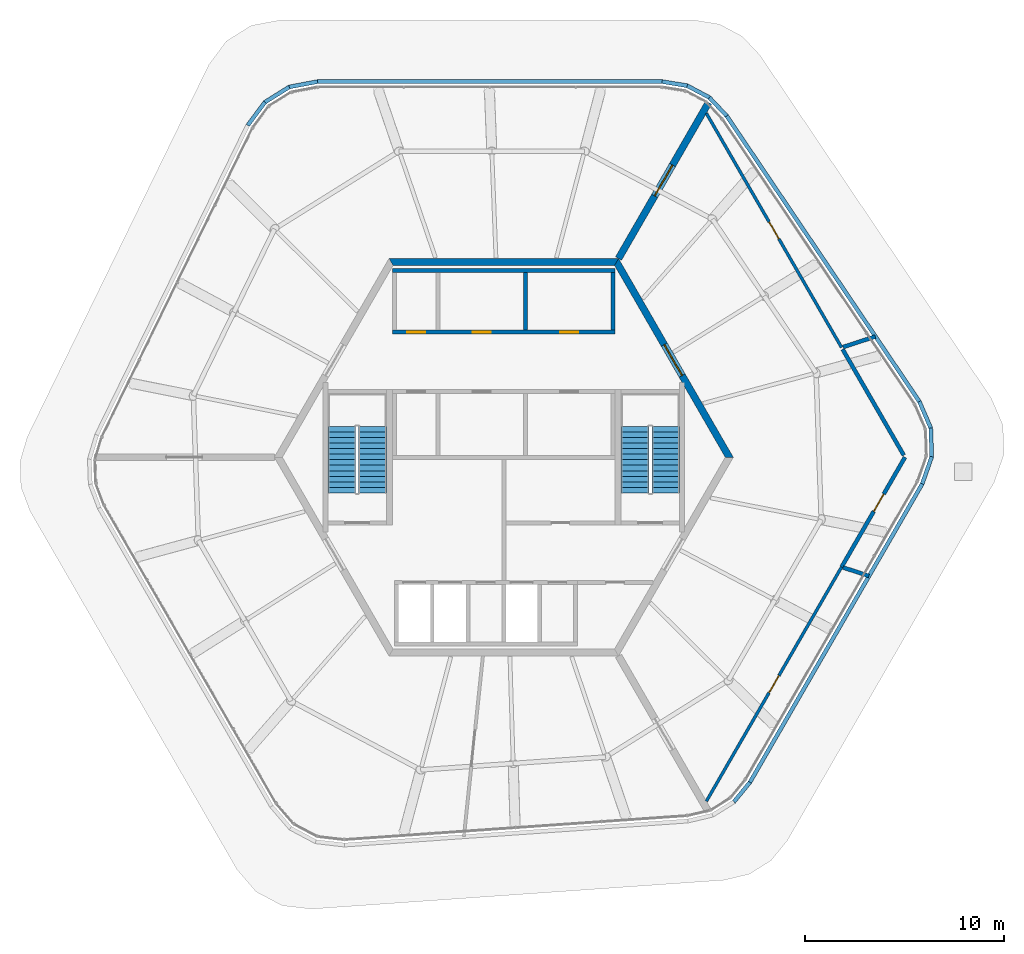
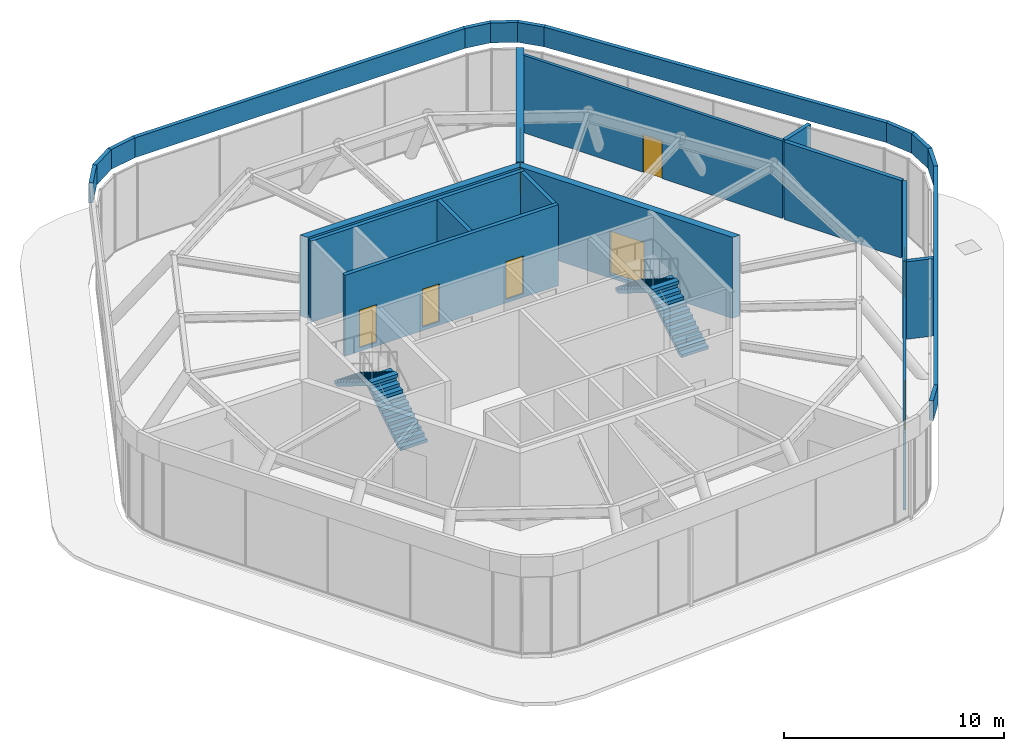
# One storey, part 11 of 12: 26 walls, 8 doors, 4 stair flights, 8 openings, 2 elements without a shape of their own.
"""IFC4 building model written with IfcOpenShell, lengths in metres."""

from ifc_helpers import new_model, si_unit, direction, frame, frame_2d, origin, place, context, subcontext, project, spatial, polyline, rectangle, outline, extrude, material, layer, layer_set, type_object, element, fill, aggregate, save


model = new_model("IFC4")

# Units and contexts
model_context = context("Model", 3, precision=1e-05, world=origin(), true_north=direction((0.0, 1.0)))
body_context = subcontext(model_context, "Body", "Model", "MODEL_VIEW")
ifc_project = project(units=[si_unit("LENGTHUNIT", "METRE"), si_unit("AREAUNIT", "SQUARE_METRE"), si_unit("VOLUMEUNIT", "CUBIC_METRE"), si_unit("PLANEANGLEUNIT", "RADIAN"), si_unit("MASSUNIT", "GRAM", prefix="KILO")], contexts=[model_context])

# Site, building, storey
site_placement = place(None, origin())
site = spatial("IfcSite", under=ifc_project, at=site_placement, CompositionType="ELEMENT")
building_placement = place(site_placement, origin())
building = spatial("IfcBuilding", under=site, at=building_placement, Name="Tarnside Tower", CompositionType="ELEMENT")
storey_placement = place(building_placement, frame((0.0, 0.0, 392.699951171875)))
storey = spatial("IfcBuildingStorey", under=building, at=storey_placement, Name="L93", CompositionType="ELEMENT", Elevation=392.699951171875)

# Wall, opening, door
ifc_material_1 = material(Name="Concrete C50/60", Category="concrete")
ifc_layer_1 = layer(ifc_material_1, 0.35009765625)
ifc_layer_set_1 = layer_set([ifc_layer_1], Name="Core wall Z4 350 C50/60")
wall_type_1 = type_object("IfcWallType", Name="Core wall Z4 350 C50/60", PredefinedType="SHEAR", material=ifc_layer_set_1)
wall_1_placement = place(storey_placement, frame((11.344970703125, 0.0, -0.199951171875), z_axis=(0.0, 0.0, 1.0), x_axis=(-0.499995046907, 0.866028263435, 0.0)))
wall_1 = element("IfcWall", 1, at=wall_1_placement, inside=storey, type_object=wall_type_1, Name="L93 core wall face 6", PredefinedType="SHEAR", context=body_context, shape_type="SweptSolid", body=[
    extrude(outline(polyline([(-0.10107421875, -0.175048828125), (11.44580078125, -0.175048828125), (11.24365234375, 0.175048828125), (0.10107421875, 0.175048828125), (-0.10107421875, -0.175048828125)])), origin(), (0.0, 0.0, 1.0), 4.5),
])
opening_1_placement = place(wall_1_placement, frame((4.74365234375, 0.0, 0.199951171875)))
opening_1 = element("IfcOpeningElement", 2, at=opening_1_placement, cuts=wall_1, Name="Opening CD-LOB", PredefinedType="OPENING", context=body_context, shape_type="SweptSolid", body=[
    extrude(rectangle(XDim=1.800048828125, YDim=2.39990234375, at=frame_2d((0.89990234375, 1.199951171875))), frame((0.0, 0.18505859375, 0.0), z_axis=(0.0, -1.0, 0.0), x_axis=(1.0, 0.0, 0.0)), (0.0, 0.0, 1.0), 0.3701171875),
])
ifc_material_2 = material(Name="Steel fire door", Category="steel")
door_type_1 = type_object("IfcDoorType", Name="Lobby double door FD30S 1800x2400", OperationType="NOTDEFINED", PredefinedType="DOOR", material=ifc_material_2)
door_1_placement = place(opening_1_placement, origin())
door_1 = element("IfcDoor", 3, at=door_1_placement, inside=storey, type_object=door_type_1, Name="L93 core door P2", OperationType="DOUBLE_DOOR_SINGLE_SWING", OverallHeight=2.39990234375, OverallWidth=1.800048828125, PredefinedType="DOOR", context=body_context, shape_type="SweptSolid", body=[
    extrude(rectangle(XDim=1.800048828125, YDim=2.39990234375, at=frame_2d((0.89990234375, 1.199951171875))), frame((0.0, 0.02490234375, 0.0), z_axis=(0.0, -1.0, 0.0), x_axis=(1.0, 0.0, 0.0)), (0.0, 0.0, 1.0), 0.050048828125),
])
fill(opening_1, door_1)

# Wall
wall_2_placement = place(storey_placement, frame((5.672607421875, 9.824951171875, -0.199951171875), z_axis=(0.0, 0.0, 1.0), x_axis=(-1.0, 0.0, 0.0)))
element("IfcWall", 4, at=wall_2_placement, inside=storey, type_object=wall_type_1, Name="L93 core wall face 1", PredefinedType="SHEAR", context=body_context, shape_type="SweptSolid", body=[
    extrude(outline(polyline([(-0.10107421875, -0.175048828125), (11.4462890625, -0.175048828125), (11.244140625, 0.175048828125), (0.10107421875, 0.175048828125), (-0.10107421875, -0.175048828125)])), origin(), (0.0, 0.0, 1.0), 4.5),
])

# Wall, opening, door
wall_3_placement = place(storey_placement, frame((5.7734375, 10.0, -0.199951171875), z_axis=(0.0, 0.0, 1.0), x_axis=(0.500006102154, 0.866021880676, 0.0)))
wall_3 = element("IfcWall", 5, at=wall_3_placement, inside=storey, type_object=wall_type_1, Name="L93 spine wall 1", PredefinedType="SHEAR", context=body_context, shape_type="SweptSolid", body=[
    extrude(rectangle(XDim=9.06494140625, YDim=0.35009765625, at=frame_2d((4.532470703125, 0.0))), origin(), (0.0, 0.0, 1.0), 4.5),
])
opening_2_placement = place(wall_3_placement, frame((3.63232421875, 0.0, 0.199951171875)))
opening_2 = element("IfcOpeningElement", 6, at=opening_2_placement, cuts=wall_3, Name="Opening CD-SPN", PredefinedType="OPENING", context=body_context, shape_type="SweptSolid", body=[
    extrude(rectangle(XDim=1.800048828125, YDim=2.39990234375, at=frame_2d((0.89990234375, 1.199951171875))), frame((0.0, 0.18505859375, 0.0), z_axis=(0.0, -1.0, 0.0), x_axis=(1.0, 0.0, 0.0)), (0.0, 0.0, 1.0), 0.3701171875),
])
door_type_2 = type_object("IfcDoorType", Name="Spine passage double door FD60 1800x2400", OperationType="NOTDEFINED", PredefinedType="DOOR", material=ifc_material_2)
door_2_placement = place(opening_2_placement, origin())
door_2 = element("IfcDoor", 7, at=door_2_placement, inside=storey, type_object=door_type_2, Name="L93 spine passage door 1", OperationType="DOUBLE_DOOR_SINGLE_SWING", OverallHeight=2.39990234375, OverallWidth=1.800048828125, PredefinedType="DOOR", context=body_context, shape_type="SweptSolid", body=[
    extrude(rectangle(XDim=1.800048828125, YDim=2.39990234375, at=frame_2d((0.89990234375, 1.199951171875))), frame((0.0, 0.02490234375, 0.0), z_axis=(0.0, -1.0, 0.0), x_axis=(1.0, 0.0, 0.0)), (0.0, 0.0, 1.0), 0.050048828125),
])
fill(opening_2, door_2)

# Wall, openings, doors
ifc_material_3 = material(Name="Concrete C40/50", Category="concrete")
ifc_layer_2 = layer(ifc_material_3, 0.199951171875)
ifc_layer_set_2 = layer_set([ifc_layer_2], Name="Lift shaft wall 200 C40/50")
wall_type_2 = type_object("IfcWallType", Name="Lift shaft wall 200 C40/50", PredefinedType="SHEAR", material=ifc_layer_set_2)
wall_4_placement = place(storey_placement, frame((-5.60009765625, 6.300048828125, -0.199951171875), z_axis=(0.0, 0.0, 1.0), x_axis=(1.0, 0.0, 0.0)))
wall_4 = element("IfcWall", 8, at=wall_4_placement, inside=storey, type_object=wall_type_2, Name="L93 lift shaft front wall R1", PredefinedType="SHEAR", context=body_context, shape_type="SweptSolid", body=[
    extrude(rectangle(XDim=11.2001953125, YDim=0.199951171875, at=frame_2d((5.60009765625, 0.0))), origin(), (0.0, 0.0, 1.0), 4.5),
])
opening_3_placement = place(wall_4_placement, frame((0.75, 0.0, 0.199951171875)))
opening_3 = element("IfcOpeningElement", 9, at=opening_3_placement, cuts=wall_4, Name="Opening CD-room", PredefinedType="OPENING", context=body_context, shape_type="SweptSolid", body=[
    extrude(rectangle(XDim=0.89990234375, YDim=2.10009765625, at=frame_2d((0.449951171875, 1.050048828125))), frame((0.0, 0.10986328125, 0.0), z_axis=(0.0, -1.0, 0.0), x_axis=(1.0, 0.0, 0.0)), (0.0, 0.0, 1.0), 0.219970703125),
])
opening_4_placement = place(wall_4_placement, frame((4.050048828125, 0.0, 0.199951171875)))
opening_4 = element("IfcOpeningElement", 10, at=opening_4_placement, cuts=wall_4, Name="Opening CD-room", PredefinedType="OPENING", context=body_context, shape_type="SweptSolid", body=[
    extrude(rectangle(XDim=0.89990234375, YDim=2.10009765625, at=frame_2d((0.449951171875, 1.050048828125))), frame((0.0, 0.10986328125, 0.0), z_axis=(0.0, -1.0, 0.0), x_axis=(1.0, 0.0, 0.0)), (0.0, 0.0, 1.0), 0.219970703125),
])
opening_5_placement = place(wall_4_placement, frame((8.449951171875, 0.0, 0.199951171875)))
opening_5 = element("IfcOpeningElement", 11, at=opening_5_placement, cuts=wall_4, Name="Opening CD-room", PredefinedType="OPENING", context=body_context, shape_type="SweptSolid", body=[
    extrude(rectangle(XDim=0.89990234375, YDim=2.10009765625, at=frame_2d((0.449951171875, 1.050048828125))), frame((0.0, 0.10986328125, 0.0), z_axis=(0.0, -1.0, 0.0), x_axis=(1.0, 0.0, 0.0)), (0.0, 0.0, 1.0), 0.219970703125),
])
door_type_3 = type_object("IfcDoorType", Name="Room door FD60 900x2100", OperationType="NOTDEFINED", PredefinedType="DOOR", material=ifc_material_2)
door_3_placement = place(opening_3_placement, origin())
door_3 = element("IfcDoor", 12, at=door_3_placement, inside=storey, type_object=door_type_3, Name="L93 core room door FC1", OperationType="SINGLE_SWING_LEFT", OverallHeight=2.10009765625, OverallWidth=0.89990234375, PredefinedType="DOOR", context=body_context, shape_type="SweptSolid", body=[
    extrude(rectangle(XDim=0.89990234375, YDim=2.10009765625, at=frame_2d((0.449951171875, 1.050048828125))), frame((0.0, 0.02490234375, 0.0), z_axis=(0.0, -1.0, 0.0), x_axis=(1.0, 0.0, 0.0)), (0.0, 0.0, 1.0), 0.050048828125),
])
fill(opening_3, door_3)
door_4_placement = place(opening_4_placement, origin())
door_4 = element("IfcDoor", 13, at=door_4_placement, inside=storey, type_object=door_type_3, Name="L93 core room door FC2", OperationType="SINGLE_SWING_LEFT", OverallHeight=2.10009765625, OverallWidth=0.89990234375, PredefinedType="DOOR", context=body_context, shape_type="SweptSolid", body=[
    extrude(rectangle(XDim=0.89990234375, YDim=2.10009765625, at=frame_2d((0.449951171875, 1.050048828125))), frame((0.0, 0.02490234375, 0.0), z_axis=(0.0, -1.0, 0.0), x_axis=(1.0, 0.0, 0.0)), (0.0, 0.0, 1.0), 0.050048828125),
])
fill(opening_4, door_4)
door_5_placement = place(opening_5_placement, origin())
door_5 = element("IfcDoor", 14, at=door_5_placement, inside=storey, type_object=door_type_3, Name="L93 core room door FC3", OperationType="SINGLE_SWING_LEFT", OverallHeight=2.10009765625, OverallWidth=0.89990234375, PredefinedType="DOOR", context=body_context, shape_type="SweptSolid", body=[
    extrude(rectangle(XDim=0.89990234375, YDim=2.10009765625, at=frame_2d((0.449951171875, 1.050048828125))), frame((0.0, 0.02490234375, 0.0), z_axis=(0.0, -1.0, 0.0), x_axis=(1.0, 0.0, 0.0)), (0.0, 0.0, 1.0), 0.050048828125),
])
fill(opening_5, door_5)

# Walls
wall_5_placement = place(storey_placement, frame((-5.60009765625, 9.39990234375, -0.199951171875), z_axis=(0.0, 0.0, 1.0), x_axis=(1.0, 0.0, 0.0)))
element("IfcWall", 15, at=wall_5_placement, inside=storey, type_object=wall_type_2, Name="L93 lift shaft back wall R1", PredefinedType="SHEAR", context=body_context, shape_type="SweptSolid", body=[
    extrude(rectangle(XDim=11.2001953125, YDim=0.199951171875, at=frame_2d((5.60009765625, 0.0))), origin(), (0.0, 0.0, 1.0), 4.5),
])
for number, where, z_axis, x_axis, name in (
    (16, (1.10009765625, 6.39990234375, -0.199951171875), (0.0, 0.0, 1.0), (0.0, 1.0, 0.0), "L93 lift shaft partition R14"),
    (17, (5.5, 6.39990234375, -0.199951171875), (0.0, 0.0, 1.0), (0.0, 1.0, 0.0), "L93 lift shaft partition R16"),
):
    element("IfcWall", number, at=place(storey_placement, frame(where, z_axis=z_axis, x_axis=x_axis)), inside=storey, type_object=wall_type_2, Name=name, PredefinedType="SHEAR", context=body_context, shape_type="SweptSolid", body=[
        extrude(rectangle(XDim=2.900146484375, YDim=0.199951171875, at=frame_2d((1.4501953125, 0.0))), origin(), (0.0, 0.0, 1.0), 4.5),
    ])
ifc_material_4 = material(Name="Concrete C35/45 precast", Category="concrete")
ifc_layer_3 = layer(ifc_material_4, 0.199951171875)
ifc_layer_set_3 = layer_set([ifc_layer_3], Name="Parapet 200 x 1100")
wall_type_3 = type_object("IfcWallType", Name="Parapet 200 x 1100", PredefinedType="PARAPET", material=ifc_layer_set_3)
wall_6_placement = place(storey_placement, frame((7.967529296875, 18.89990234375, 4.5), z_axis=(0.0, 0.0, 1.0), x_axis=(0.9867748983, -0.162096576412, 0.0)))
element("IfcWall", 18, at=wall_6_placement, inside=storey, type_object=wall_type_3, Name="Roof parapet 01", PredefinedType="PARAPET", context=body_context, shape_type="SweptSolid", body=[
    extrude(outline(polyline([(0.008056640625, -0.10009765625), (1.25634765625, -0.10009765625), (1.2890625, 0.10009765625), (-0.008056640625, 0.10009765625), (0.008056640625, -0.10009765625)])), origin(), (0.0, 0.0, 1.0), 1.10009765625),
])
wall_7_placement = place(storey_placement, frame((9.223388671875, 18.693603515625, 4.5), z_axis=(0.0, 0.0, 1.0), x_axis=(0.882950708751, -0.469465702598, 0.0)))
element("IfcWall", 19, at=wall_7_placement, inside=storey, type_object=wall_type_3, Name="Roof parapet 02", PredefinedType="PARAPET", context=body_context, shape_type="SweptSolid", body=[
    extrude(outline(polyline([(0.016357421875, -0.10009765625), (1.248291015625, -0.10009765625), (1.281005859375, 0.10009765625), (-0.016357421875, 0.10009765625), (0.016357421875, -0.10009765625)])), origin(), (0.0, 0.0, 1.0), 1.10009765625),
])
wall_8_placement = place(storey_placement, frame((10.340087890625, 18.099853515625, 4.5), z_axis=(0.0, 0.0, 1.0), x_axis=(0.686184039693, -0.727427978339, 0.0)))
element("IfcWall", 20, at=wall_8_placement, inside=storey, type_object=wall_type_3, Name="Roof parapet 03", PredefinedType="PARAPET", context=body_context, shape_type="SweptSolid", body=[
    extrude(outline(polyline([(0.016357421875, -0.10009765625), (1.2646484375, -0.10009765625), (1.28076171875, 0.10009765625), (-0.016357421875, 0.10009765625), (0.016357421875, -0.10009765625)])), origin(), (0.0, 0.0, 1.0), 1.10009765625),
])
wall_9_placement = place(storey_placement, frame((11.21337890625, 17.174072265625, 4.5), z_axis=(0.0, 0.0, 1.0), x_axis=(0.559200888718, -0.829032186382, 0.0)))
element("IfcWall", 21, at=wall_9_placement, inside=storey, type_object=wall_type_3, Name="Roof parapet 04", PredefinedType="PARAPET", context=body_context, shape_type="SweptSolid", body=[
    extrude(outline(polyline([(0.008056640625, -0.10009765625), (17.322021484375, -0.10009765625), (17.340576171875, 0.10009765625), (-0.008056640625, 0.10009765625), (0.008056640625, -0.10009765625)])), origin(), (0.0, 0.0, 1.0), 1.10009765625),
])
wall_10_placement = place(storey_placement, frame((20.905029296875, 2.805908203125, 4.5), z_axis=(0.0, 0.0, 1.0), x_axis=(0.396007748468, -0.918247168879, 0.0)))
element("IfcWall", 22, at=wall_10_placement, inside=storey, type_object=wall_type_3, Name="Roof parapet 05", PredefinedType="PARAPET", context=body_context, shape_type="SweptSolid", body=[
    extrude(outline(polyline([(0.00927734375, -0.10009765625), (1.43359375, -0.10009765625), (1.47119140625, 0.10009765625), (-0.00927734375, 0.10009765625), (0.00927734375, -0.10009765625)])), origin(), (0.0, 0.0, 1.0), 1.10009765625),
])
wall_11_placement = place(storey_placement, frame((21.480224609375, 1.47216796875, 4.5), z_axis=(0.0, 0.0, 1.0), x_axis=(0.034846799115, -0.999392665868, 0.0)))
element("IfcWall", 23, at=wall_11_placement, inside=storey, type_object=wall_type_3, Name="Roof parapet 06", PredefinedType="PARAPET", context=body_context, shape_type="SweptSolid", body=[
    extrude(outline(polyline([(0.018798828125, -0.10009765625), (1.424560546875, -0.10009765625), (1.462158203125, 0.10009765625), (-0.018798828125, 0.10009765625), (0.018798828125, -0.10009765625)])), origin(), (0.0, 0.0, 1.0), 1.10009765625),
])
wall_12_placement = place(storey_placement, frame((21.530517578125, 0.02978515625, 4.5), z_axis=(0.0, 0.0, 1.0), x_axis=(-0.330964304762, -0.943643274216, 0.0)))
element("IfcWall", 24, at=wall_12_placement, inside=storey, type_object=wall_type_3, Name="Roof parapet 07", PredefinedType="PARAPET", context=body_context, shape_type="SweptSolid", body=[
    extrude(outline(polyline([(0.018798828125, -0.10009765625), (1.443115234375, -0.10009765625), (1.461669921875, 0.10009765625), (-0.018798828125, 0.10009765625), (0.018798828125, -0.10009765625)])), origin(), (0.0, 0.0, 1.0), 1.10009765625),
])
wall_13_placement = place(storey_placement, frame((21.0498046875, -1.3408203125, 4.5), z_axis=(0.0, 0.0, 1.0), x_axis=(-0.500006974487, -0.866021377025, 0.0)))
element("IfcWall", 25, at=wall_13_placement, inside=storey, type_object=wall_type_3, Name="Roof parapet 08", PredefinedType="PARAPET", context=body_context, shape_type="SweptSolid", body=[
    extrude(outline(polyline([(0.00927734375, -0.10009765625), (17.3232421875, -0.10009765625), (17.33935546875, 0.10009765625), (-0.00927734375, 0.10009765625), (0.00927734375, -0.10009765625)])), origin(), (0.0, 0.0, 1.0), 1.10009765625),
])
wall_14_placement = place(storey_placement, frame((12.384033203125, -16.35009765625, 4.5), z_axis=(0.0, 0.0, 1.0), x_axis=(-0.633822610937, -0.773478440466, 0.0)))
element("IfcWall", 26, at=wall_14_placement, inside=storey, type_object=wall_type_3, Name="Roof parapet 09", PredefinedType="PARAPET", context=body_context, shape_type="SweptSolid", body=[
    extrude(outline(polyline([(0.008056640625, -0.10009765625), (1.25634765625, -0.10009765625), (1.2890625, 0.10009765625), (-0.008056640625, 0.10009765625), (0.008056640625, -0.10009765625)])), origin(), (0.0, 0.0, 1.0), 1.10009765625),
])
wall_15_placement = place(storey_placement, frame((-12.88232421875, 16.701171875, 4.5), z_axis=(0.0, 0.0, 1.0), x_axis=(0.597118923952, 0.802152722777, 0.0)))
element("IfcWall", 27, at=wall_15_placement, inside=storey, type_object=wall_type_3, Name="Roof parapet 21", PredefinedType="PARAPET", context=body_context, shape_type="SweptSolid", body=[
    extrude(outline(polyline([(0.00927734375, -0.10009765625), (1.433837890625, -0.10009765625), (1.471435546875, 0.10009765625), (-0.00927734375, 0.10009765625), (0.00927734375, -0.10009765625)])), origin(), (0.0, 0.0, 1.0), 1.10009765625),
])
wall_16_placement = place(storey_placement, frame((-12.014892578125, 17.866455078125, 4.5), z_axis=(0.0, 0.0, 1.0), x_axis=(0.84803632456, 0.529938102259, 0.0)))
element("IfcWall", 28, at=wall_16_placement, inside=storey, type_object=wall_type_3, Name="Roof parapet 22", PredefinedType="PARAPET", context=body_context, shape_type="SweptSolid", body=[
    extrude(outline(polyline([(0.018798828125, -0.10009765625), (1.424072265625, -0.10009765625), (1.461669921875, 0.10009765625), (-0.018798828125, 0.10009765625), (0.018798828125, -0.10009765625)])), origin(), (0.0, 0.0, 1.0), 1.10009765625),
])
wall_17_placement = place(storey_placement, frame((-10.791259765625, 18.631103515625, 4.5), z_axis=(0.0, 0.0, 1.0), x_axis=(0.982729187844, 0.185049570005, 0.0)))
element("IfcWall", 29, at=wall_17_placement, inside=storey, type_object=wall_type_3, Name="Roof parapet 23", PredefinedType="PARAPET", context=body_context, shape_type="SweptSolid", body=[
    extrude(outline(polyline([(0.018798828125, -0.10009765625), (1.443359375, -0.10009765625), (1.4619140625, 0.10009765625), (-0.018798828125, 0.10009765625), (0.018798828125, -0.10009765625)])), origin(), (0.0, 0.0, 1.0), 1.10009765625),
])
wall_18_placement = place(storey_placement, frame((-9.36376953125, 18.89990234375, 4.5), z_axis=(0.0, 0.0, 1.0), x_axis=(1.0, 0.0, 0.0)))
element("IfcWall", 30, at=wall_18_placement, inside=storey, type_object=wall_type_3, Name="Roof parapet 24", PredefinedType="PARAPET", context=body_context, shape_type="SweptSolid", body=[
    extrude(outline(polyline([(0.00927734375, -0.10009765625), (17.3232421875, -0.10009765625), (17.33935546875, 0.10009765625), (-0.00927734375, 0.10009765625), (0.00927734375, -0.10009765625)])), origin(), (0.0, 0.0, 1.0), 1.10009765625),
])

# Wall, opening, door
ifc_material_5 = material(Name="Gypsum board")
ifc_layer_4 = layer(ifc_material_5, 0.14990234375)
ifc_layer_set_4 = layer_set([ifc_layer_4], Name="Partition 150 gypsum board on metal stud")
wall_type_4 = type_object("IfcWallType", Name="Partition 150 gypsum board on metal stud", PredefinedType="PARTITIONING", material=ifc_layer_set_4)
wall_19_placement = place(storey_placement, frame((16.99609375, -5.52197265625, 0.0), z_axis=(0.0, 0.0, 1.0), x_axis=(-0.500004628935, -0.866022731251, 0.0)))
wall_19 = element("IfcWall", 31, at=wall_19_placement, inside=storey, type_object=wall_type_4, Name="Partition 001", PredefinedType="PARTITIONING", context=body_context, shape_type="SweptSolid", body=[
    extrude(rectangle(XDim=13.605712890625, YDim=0.14990234375, at=frame_2d((6.802734375, 0.0))), origin(), (0.0, 0.0, 1.0), 4.300048828125),
])
opening_6_placement = place(wall_19_placement, frame((6.302978515625, 0.0, 0.0)))
opening_6 = element("IfcOpeningElement", 32, at=opening_6_placement, cuts=wall_19, Name="Opening D1000F30", PredefinedType="OPENING", context=body_context, shape_type="SweptSolid", body=[
    extrude(rectangle(XDim=1.0, YDim=2.10009765625, at=frame_2d((0.5, 1.050048828125))), frame((0.0, 0.0849609375, 0.0), z_axis=(0.0, -1.0, 0.0), x_axis=(1.0, 0.0, 0.0)), (0.0, 0.0, 1.0), 0.169921875),
])
ifc_material_6 = material(Name="Timber door leaf", Category="wood")
door_type_4 = type_object("IfcDoorType", Name="Door 1000 x 2100 single leaf FD30S fire door", OperationType="NOTDEFINED", PredefinedType="DOOR", material=ifc_material_6)
door_6_placement = place(opening_6_placement, origin())
door_6 = element("IfcDoor", 33, at=door_6_placement, inside=storey, type_object=door_type_4, Name="Door L93-02", OperationType="SINGLE_SWING_LEFT", OverallHeight=2.10009765625, OverallWidth=1.0, PredefinedType="DOOR", context=body_context, shape_type="SweptSolid", body=[
    extrude(rectangle(XDim=1.0, YDim=2.10009765625, at=frame_2d((0.5, 1.050048828125))), frame((0.0, 0.02490234375, 0.0), z_axis=(0.0, -1.0, 0.0), x_axis=(1.0, 0.0, 0.0)), (0.0, 0.0, 1.0), 0.050048828125),
])
fill(opening_6, door_6)

wall_20_placement = place(storey_placement, frame((10.193115234375, 17.304931640625, 0.0), z_axis=(0.0, 0.0, 1.0), x_axis=(0.500004628935, -0.866022731251, 0.0)))
wall_20 = element("IfcWall", 34, at=wall_20_placement, inside=storey, type_object=wall_type_4, Name="Partition 003", PredefinedType="PARTITIONING", context=body_context, shape_type="SweptSolid", body=[
    extrude(rectangle(XDim=13.605712890625, YDim=0.14990234375, at=frame_2d((6.802734375, 0.0))), origin(), (0.0, 0.0, 1.0), 4.300048828125),
])
opening_7_placement = place(wall_20_placement, frame((6.302978515625, 0.0, 0.0)))
opening_7 = element("IfcOpeningElement", 35, at=opening_7_placement, cuts=wall_20, Name="Opening D1000F30", PredefinedType="OPENING", context=body_context, shape_type="SweptSolid", body=[
    extrude(rectangle(XDim=1.0, YDim=2.10009765625, at=frame_2d((0.5, 1.050048828125))), frame((0.0, 0.0849609375, 0.0), z_axis=(0.0, -1.0, 0.0), x_axis=(1.0, 0.0, 0.0)), (0.0, 0.0, 1.0), 0.169921875),
])
door_7_placement = place(opening_7_placement, origin())
door_7 = element("IfcDoor", 36, at=door_7_placement, inside=storey, type_object=door_type_4, Name="Door L93-04", OperationType="SINGLE_SWING_LEFT", OverallHeight=2.10009765625, OverallWidth=1.0, PredefinedType="DOOR", context=body_context, shape_type="SweptSolid", body=[
    extrude(rectangle(XDim=1.0, YDim=2.10009765625, at=frame_2d((0.5, 1.050048828125))), frame((0.0, 0.02490234375, 0.0), z_axis=(0.0, -1.0, 0.0), x_axis=(1.0, 0.0, 0.0)), (0.0, 0.0, 1.0), 0.050048828125),
])
fill(opening_7, door_7)

ifc_material_7 = material(Name="Concrete C32/40", Category="concrete")
ifc_layer_5 = layer(ifc_material_7, 0.199951171875)
ifc_layer_set_5 = layer_set([ifc_layer_5], Name="Wall 200 reinforced Concrete C32/40")
wall_type_5 = type_object("IfcWallType", Name="Wall 200 reinforced Concrete C32/40", PredefinedType="PARTITIONING", material=ifc_layer_set_5)
wall_21_placement = place(storey_placement, frame((20.18408203125, 0.0, 0.0), z_axis=(0.0, 0.0, 1.0), x_axis=(-0.49998540044, -0.866033832681, 0.0)))
wall_21 = element("IfcWall", 37, at=wall_21_placement, inside=storey, type_object=wall_type_5, Name="Partition 002", PredefinedType="PARTITIONING", context=body_context, shape_type="SweptSolid", body=[
    extrude(rectangle(XDim=6.376220703125, YDim=0.199951171875, at=frame_2d((3.18798828125, 0.0))), origin(), (0.0, 0.0, 1.0), 4.300048828125),
])
opening_8_placement = place(wall_21_placement, frame((2.13818359375, 0.0, 0.0)))
opening_8 = element("IfcOpeningElement", 38, at=opening_8_placement, cuts=wall_21, Name="Opening D1000F60", PredefinedType="OPENING", context=body_context, shape_type="SweptSolid", body=[
    extrude(rectangle(XDim=1.0, YDim=2.10009765625, at=frame_2d((0.5, 1.050048828125))), frame((0.0, 0.10986328125, 0.0), z_axis=(0.0, -1.0, 0.0), x_axis=(1.0, 0.0, 0.0)), (0.0, 0.0, 1.0), 0.219970703125),
])
door_type_5 = type_object("IfcDoorType", Name="Door 1000 x 2100 single leaf FD60 fire door", OperationType="NOTDEFINED", PredefinedType="DOOR", material=ifc_material_6)
door_8_placement = place(opening_8_placement, origin())
door_8 = element("IfcDoor", 39, at=door_8_placement, inside=storey, type_object=door_type_5, Name="Door L93-03", OperationType="SINGLE_SWING_RIGHT", OverallHeight=2.10009765625, OverallWidth=1.0, PredefinedType="DOOR", context=body_context, shape_type="SweptSolid", body=[
    extrude(rectangle(XDim=1.0, YDim=2.10009765625, at=frame_2d((0.5, 1.050048828125))), frame((0.0, 0.02490234375, 0.0), z_axis=(0.0, -1.0, 0.0), x_axis=(1.0, 0.0, 0.0)), (0.0, 0.0, 1.0), 0.050048828125),
])
fill(opening_8, door_8)

# Walls
wall_22_placement = place(storey_placement, frame((18.3720703125, -5.969970703125, 0.0), z_axis=(0.0, 0.0, 1.0), x_axis=(-0.950868992485, 0.30959353858, 0.0)))
element("IfcWall", 40, at=wall_22_placement, inside=storey, type_object=wall_type_5, Name="Partition 004", PredefinedType="PARTITIONING", context=body_context, shape_type="SweptSolid", body=[
    extrude(rectangle(XDim=1.37060546875, YDim=0.199951171875, at=frame_2d((0.685302734375, 0.0))), origin(), (0.0, 0.0, 1.0), 4.300048828125),
])
wall_23_placement = place(storey_placement, frame((18.691162109375, 6.07275390625, 0.0), z_axis=(0.0, 0.0, 1.0), x_axis=(-0.951060360014, -0.309005164375, 0.0)))
element("IfcWall", 41, at=wall_23_placement, inside=storey, type_object=wall_type_5, Name="Partition 005", PredefinedType="PARTITIONING", context=body_context, shape_type="SweptSolid", body=[
    extrude(rectangle(XDim=1.705810546875, YDim=0.199951171875, at=frame_2d((0.85302734375, 0.0))), origin(), (0.0, 0.0, 1.0), 4.300048828125),
])
wall_24_placement = place(storey_placement, frame((20.126220703125, 0.10009765625, 0.0), z_axis=(0.0, 0.0, 1.0), x_axis=(-0.499993558869, 0.866029122541, 0.0)))
element("IfcWall", 42, at=wall_24_placement, inside=storey, type_object=wall_type_5, Name="Partition 006", PredefinedType="PARTITIONING", context=body_context, shape_type="SweptSolid", body=[
    extrude(rectangle(XDim=6.158203125, YDim=0.199951171875, at=frame_2d((3.0791015625, 0.0))), origin(), (0.0, 0.0, 1.0), 4.300048828125),
])

# Stair, stair flights
stair_type = type_object("IfcStairType", Name="Exit stair 1400 clear", PredefinedType="HALF_TURN_STAIR", material=ifc_material_3)
stair_1_placement = place(storey_placement, origin())
stair_1 = element("IfcStair", 43, at=stair_1_placement, inside=storey, type_object=stair_type, Name="L93 Exit stair 1", PredefinedType="HALF_TURN_STAIR")
stair_flight_type = type_object("IfcStairFlightType", Name="Exit stair flight 1400", PredefinedType="STRAIGHT", material=ifc_material_3)
stair_flight_1_placement = place(storey_placement, frame((8.14990234375, -1.800048828125, 0.0), z_axis=(0.0, 0.0, 1.0), x_axis=(0.0, 1.0, 0.0)))
stair_flight_1 = element("IfcStairFlight", 44, at=stair_flight_1_placement, type_object=stair_flight_type, Name="ST1 flight 1", NumberOfRisers=13, NumberOfTreads=12, PredefinedType="STRAIGHT", RiserHeight=0.173076923, TreadLength=0.28, context=body_context, shape_type="SweptSolid", body=[
    extrude(outline(polyline([(0.0, 0.0), (0.0, 0.173095703125), (0.280029296875, 0.173095703125), (0.280029296875, 0.34619140625), (0.56005859375, 0.34619140625), (0.56005859375, 0.519287109375), (0.840087890625, 0.519287109375), (0.840087890625, 0.6923828125), (1.1201171875, 0.6923828125), (1.1201171875, 0.865478515625), (1.39990234375, 0.865478515625), (1.39990234375, 1.03857421875), (1.679931640625, 1.03857421875), (1.679931640625, 1.21142578125), (1.9599609375, 1.21142578125), (1.9599609375, 1.384521484375), (2.239990234375, 1.384521484375), (2.239990234375, 1.5576171875), (2.52001953125, 1.5576171875), (2.52001953125, 1.730712890625), (2.800048828125, 1.730712890625), (2.800048828125, 1.90380859375), (3.080078125, 1.90380859375), (3.080078125, 2.076904296875), (3.360107421875, 2.076904296875), (3.360107421875, 2.25), (3.360107421875, 1.900634765625), (0.28515625, 0.0), (0.0, 0.0)])), frame((0.0, 0.699951171875, 0.0), z_axis=(0.0, -1.0, 0.0), x_axis=(1.0, 0.0, 0.0)), (0.0, 0.0, 1.0), 1.39990234375),
])
stair_flight_2_placement = place(storey_placement, frame((6.60009765625, 1.56005859375, 2.25), z_axis=(0.0, 0.0, 1.0), x_axis=(0.0, -1.0, 0.0)))
stair_flight_2 = element("IfcStairFlight", 45, at=stair_flight_2_placement, type_object=stair_flight_type, Name="ST1 flight 2", NumberOfRisers=13, NumberOfTreads=12, PredefinedType="STRAIGHT", RiserHeight=0.173076923, TreadLength=0.28, context=body_context, shape_type="SweptSolid", body=[
    extrude(outline(polyline([(0.0, 0.0), (0.0, 0.173095703125), (0.280029296875, 0.173095703125), (0.280029296875, 0.34619140625), (0.56005859375, 0.34619140625), (0.56005859375, 0.519287109375), (0.840087890625, 0.519287109375), (0.840087890625, 0.6923828125), (1.1201171875, 0.6923828125), (1.1201171875, 0.865478515625), (1.39990234375, 0.865478515625), (1.39990234375, 1.03857421875), (1.679931640625, 1.03857421875), (1.679931640625, 1.21142578125), (1.9599609375, 1.21142578125), (1.9599609375, 1.384521484375), (2.239990234375, 1.384521484375), (2.239990234375, 1.5576171875), (2.52001953125, 1.5576171875), (2.52001953125, 1.730712890625), (2.800048828125, 1.730712890625), (2.800048828125, 1.90380859375), (3.080078125, 1.90380859375), (3.080078125, 2.076904296875), (3.360107421875, 2.076904296875), (3.360107421875, 2.25), (3.360107421875, 1.900634765625), (0.28515625, 0.0), (0.0, 0.0)])), frame((0.0, 0.699951171875, 0.0), z_axis=(0.0, -1.0, 0.0), x_axis=(1.0, 0.0, 0.0)), (0.0, 0.0, 1.0), 1.39990234375),
])
aggregate(stair_1, [stair_flight_1, stair_flight_2])

stair_2_placement = place(storey_placement, origin())
stair_2 = element("IfcStair", 46, at=stair_2_placement, inside=storey, type_object=stair_type, Name="L93 Exit stair 2", PredefinedType="HALF_TURN_STAIR")
stair_flight_3_placement = place(storey_placement, frame((-6.60009765625, -1.800048828125, 0.0), z_axis=(0.0, 0.0, 1.0), x_axis=(0.0, 1.0, 0.0)))
stair_flight_3 = element("IfcStairFlight", 47, at=stair_flight_3_placement, type_object=stair_flight_type, Name="ST2 flight 1", NumberOfRisers=13, NumberOfTreads=12, PredefinedType="STRAIGHT", RiserHeight=0.173076923, TreadLength=0.28, context=body_context, shape_type="SweptSolid", body=[
    extrude(outline(polyline([(0.0, 0.0), (0.0, 0.173095703125), (0.280029296875, 0.173095703125), (0.280029296875, 0.34619140625), (0.56005859375, 0.34619140625), (0.56005859375, 0.519287109375), (0.840087890625, 0.519287109375), (0.840087890625, 0.6923828125), (1.1201171875, 0.6923828125), (1.1201171875, 0.865478515625), (1.39990234375, 0.865478515625), (1.39990234375, 1.03857421875), (1.679931640625, 1.03857421875), (1.679931640625, 1.21142578125), (1.9599609375, 1.21142578125), (1.9599609375, 1.384521484375), (2.239990234375, 1.384521484375), (2.239990234375, 1.5576171875), (2.52001953125, 1.5576171875), (2.52001953125, 1.730712890625), (2.800048828125, 1.730712890625), (2.800048828125, 1.90380859375), (3.080078125, 1.90380859375), (3.080078125, 2.076904296875), (3.360107421875, 2.076904296875), (3.360107421875, 2.25), (3.360107421875, 1.900634765625), (0.28515625, 0.0), (0.0, 0.0)])), frame((0.0, 0.699951171875, 0.0), z_axis=(0.0, -1.0, 0.0), x_axis=(1.0, 0.0, 0.0)), (0.0, 0.0, 1.0), 1.39990234375),
])
stair_flight_4_placement = place(storey_placement, frame((-8.14990234375, 1.56005859375, 2.25), z_axis=(0.0, 0.0, 1.0), x_axis=(0.0, -1.0, 0.0)))
stair_flight_4 = element("IfcStairFlight", 48, at=stair_flight_4_placement, type_object=stair_flight_type, Name="ST2 flight 2", NumberOfRisers=13, NumberOfTreads=12, PredefinedType="STRAIGHT", RiserHeight=0.173076923, TreadLength=0.28, context=body_context, shape_type="SweptSolid", body=[
    extrude(outline(polyline([(0.0, 0.0), (0.0, 0.173095703125), (0.280029296875, 0.173095703125), (0.280029296875, 0.34619140625), (0.56005859375, 0.34619140625), (0.56005859375, 0.519287109375), (0.840087890625, 0.519287109375), (0.840087890625, 0.6923828125), (1.1201171875, 0.6923828125), (1.1201171875, 0.865478515625), (1.39990234375, 0.865478515625), (1.39990234375, 1.03857421875), (1.679931640625, 1.03857421875), (1.679931640625, 1.21142578125), (1.9599609375, 1.21142578125), (1.9599609375, 1.384521484375), (2.239990234375, 1.384521484375), (2.239990234375, 1.5576171875), (2.52001953125, 1.5576171875), (2.52001953125, 1.730712890625), (2.800048828125, 1.730712890625), (2.800048828125, 1.90380859375), (3.080078125, 1.90380859375), (3.080078125, 2.076904296875), (3.360107421875, 2.076904296875), (3.360107421875, 2.25), (3.360107421875, 1.900634765625), (0.28515625, 0.0), (0.0, 0.0)])), frame((0.0, 0.699951171875, 0.0), z_axis=(0.0, -1.0, 0.0), x_axis=(1.0, 0.0, 0.0)), (0.0, 0.0, 1.0), 1.39990234375),
])
aggregate(stair_2, [stair_flight_3, stair_flight_4])

save(model, "model.ifc")
